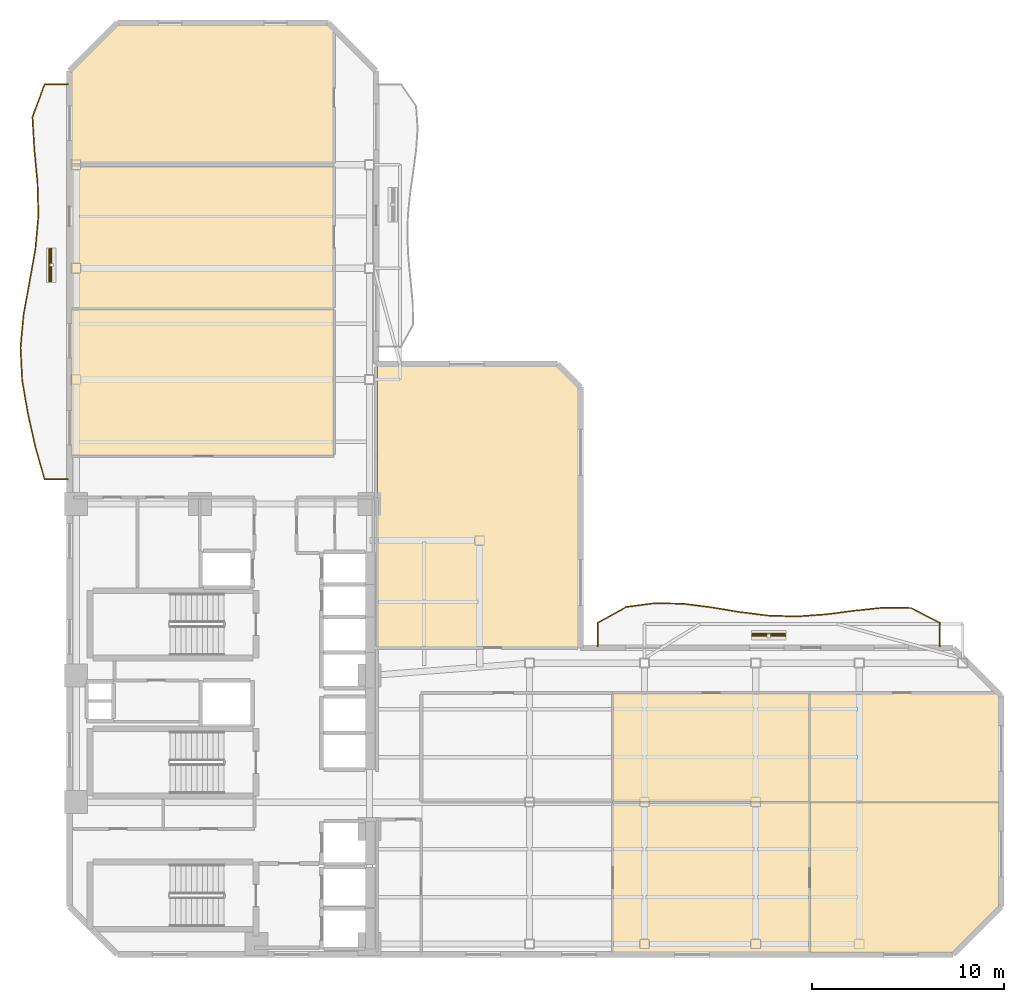
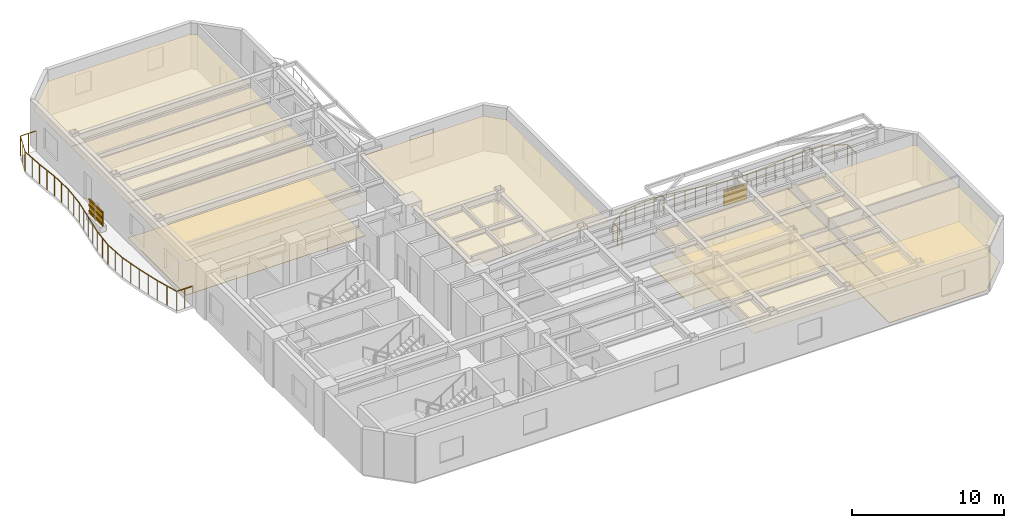
# One storey, part 8 of 9: 11 coverings, 8 shading devices, 2 railings.
"""IFC4 building model written with IfcOpenShell, lengths in metres."""

import ifcopenshell
import ifcopenshell.guid

model = None  # the IFC model being written
_history = None  # IfcOwnerHistory: only IFC2X3 demands one
_inside = {}  # id of a spatial element -> (the spatial element, [elements in it])
_under = {}  # id of a project, library or spatial element -> (it, [spatial elements below it])
_declared = {}  # id of a project -> (the project, [libraries it declares])
_typed = {}  # id of a type object -> (the type object, [elements of that type])
_made_of = {}  # id of a material, layer set ... -> (it, [elements and type objects made of it])


def new_model(schema):
    """Start an empty IFC model of exactly this schema.

    Asked for "IFC4X3", IfcOpenShell would pick the latest addendum, in which some entities
    have other attributes; the version numbers below select the first issue.
    IFC2X3 requires an IfcOwnerHistory on every rooted entity: one is made here for all.
    """
    global model, _history
    if schema == "IFC4X3":
        model = ifcopenshell.file(schema_version=(4, 3, 0, 0))
    else:
        model = ifcopenshell.file(schema=schema)
    _inside.clear()
    _under.clear()
    _declared.clear()
    _typed.clear()
    _made_of.clear()
    _history = None
    if model.schema == "IFC2X3":
        org = make("IfcOrganization", Name="unknown")
        user = make(
            "IfcPersonAndOrganization",
            ThePerson=make("IfcPerson", FamilyName="unknown"),
            TheOrganization=org,
        )
        app = make(
            "IfcApplication",
            ApplicationDeveloper=org,
            Version="unknown",
            ApplicationFullName="unknown",
            ApplicationIdentifier="unknown",
        )
        _history = make(
            "IfcOwnerHistory",
            OwningUser=user,
            OwningApplication=app,
            ChangeAction="ADDED",
            CreationDate=0,
        )
    return model


def make(cls, **values):
    """One entity of the class cls with the attributes given. An attribute that is None is left unset."""
    return model.create_entity(
        cls, **{name: value for name, value in values.items() if value is not None}
    )


def rooted(cls, **values):
    """An entity with a GlobalId (a new one), such as an element, a storey or a relation."""
    return make(cls, GlobalId=ifcopenshell.guid.new(), OwnerHistory=_history, **values)


def si_unit(unit_type, name, prefix=None):
    """IfcSIUnit, for example si_unit("LENGTHUNIT", "METRE", prefix="MILLI")."""
    return make("IfcSIUnit", UnitType=unit_type, Prefix=prefix, Name=name)


def assignment(units):
    """IfcUnitAssignment: the units of a project."""
    return None if units is None else make("IfcUnitAssignment", Units=units)


def point(xyz):
    """IfcCartesianPoint."""
    return None if xyz is None else make("IfcCartesianPoint", Coordinates=xyz)


def direction(xyz):
    """IfcDirection."""
    return None if xyz is None else make("IfcDirection", DirectionRatios=xyz)


def frame(location, z_axis=None, x_axis=None):
    """IfcAxis2Placement3D, a coordinate frame: its origin and axes. An axis left out is left unset."""
    return make(
        "IfcAxis2Placement3D",
        Location=point(location),
        Axis=direction(z_axis),
        RefDirection=direction(x_axis),
    )


def frame_2d(location, x_axis=None):
    """IfcAxis2Placement2D, a coordinate frame in the plane: its origin and x axis."""
    return make(
        "IfcAxis2Placement2D", Location=point(location), RefDirection=direction(x_axis)
    )


def origin():
    """The frame at (0, 0, 0) with its axes left unset."""
    return frame((0.0, 0.0, 0.0))


def origin_2d():
    """The frame at (0, 0) in the plane with its x axis left unset."""
    return frame_2d((0.0, 0.0))


def place(relative_to, where):
    """IfcLocalPlacement: puts the frame where relative to a parent placement (None: the world)."""
    return make(
        "IfcLocalPlacement", PlacementRelTo=relative_to, RelativePlacement=where
    )


def context(
    kind, dimensions, precision=None, world=None, true_north=None, identifier=None
):
    """IfcGeometricRepresentationContext, for example the 3D "Model" context."""
    return make(
        "IfcGeometricRepresentationContext",
        ContextIdentifier=identifier,
        ContextType=kind,
        CoordinateSpaceDimension=dimensions,
        Precision=precision,
        WorldCoordinateSystem=world,
        TrueNorth=true_north,
    )


def subcontext(parent, identifier, kind, view, scale=None):
    """IfcGeometricRepresentationSubContext, for example "Body" below "Model"."""
    return make(
        "IfcGeometricRepresentationSubContext",
        ContextIdentifier=identifier,
        ContextType=kind,
        ParentContext=parent,
        TargetScale=scale,
        TargetView=view,
    )


def project(units=None, contexts=None):
    """IfcProject with its units and contexts."""
    return rooted(
        "IfcProject",
        Name="project",
        RepresentationContexts=contexts,
        UnitsInContext=assignment(units),
    )


def spatial(cls, under=None, at=None, **own):
    """A site, building, storey or space (cls), placed at a placement, below another one or the project."""
    s = rooted(cls, ObjectPlacement=at, **own)
    if under is not None:
        _under.setdefault(under.id(), (under, []))[1].append(s)
    return s


def polyline(points):
    """IfcPolyline through the points."""
    return make("IfcPolyline", Points=[point(p) for p in points])


def profile(cls, at=None, kind="AREA", **sizes):
    """A parametric profile (cls). Its sizes go by their IFC names, for example OverallWidth=200.0."""
    return make(cls, ProfileType=kind, Position=at, **sizes)


def rectangle(**sizes):
    """IfcRectangleProfileDef."""
    return profile("IfcRectangleProfileDef", **sizes)


def outline(outer, holes=None, kind="AREA"):
    """IfcArbitraryClosedProfileDef: a profile drawn as a closed curve; with holes, ...WithVoids."""
    if holes is None:
        return make("IfcArbitraryClosedProfileDef", ProfileType=kind, OuterCurve=outer)
    return make(
        "IfcArbitraryProfileDefWithVoids",
        ProfileType=kind,
        OuterCurve=outer,
        InnerCurves=holes,
    )


def extrude(swept, where, along, depth):
    """IfcExtrudedAreaSolid: the profile swept, set in the frame where, extruded along a direction by depth."""
    return make(
        "IfcExtrudedAreaSolid",
        SweptArea=swept,
        Position=where,
        ExtrudedDirection=direction(along),
        Depth=depth,
    )


def shape(context_of_items, identifier, shape_type, items):
    """IfcShapeRepresentation: the items that make up one representation, for example the "Body"."""
    return make(
        "IfcShapeRepresentation",
        ContextOfItems=context_of_items,
        RepresentationIdentifier=identifier,
        RepresentationType=shape_type,
        Items=items,
    )


def material(Name=None, Category=None):
    """IfcMaterial."""
    return make("IfcMaterial", Name=Name, Category=Category)


def layer(
    of_material, thickness, ventilated=None, Name=None, Category=None, Priority=None
):
    """IfcMaterialLayer: one layer of a wall or slab, of a material (None: an air gap)."""
    return make(
        "IfcMaterialLayer",
        Material=of_material,
        LayerThickness=thickness,
        IsVentilated=ventilated,
        Name=Name,
        Category=Category,
        Priority=Priority,
    )


def layer_set(layers, Name=None):
    """IfcMaterialLayerSet."""
    return make("IfcMaterialLayerSet", MaterialLayers=layers, LayerSetName=Name)


def material_profile(
    of_material, cross_section, Name=None, Category=None, Priority=None
):
    """IfcMaterialProfile: a cross section and its material."""
    return make(
        "IfcMaterialProfile",
        Name=Name,
        Material=of_material,
        Profile=cross_section,
        Priority=Priority,
        Category=Category,
    )


def profile_set(profiles, Name=None, composite=None):
    """IfcMaterialProfileSet."""
    return make(
        "IfcMaterialProfileSet",
        Name=Name,
        MaterialProfiles=profiles,
        CompositeProfile=composite,
    )


def made_of(thing, what):
    """Note that an element or type object is made of a material, layer set ...; save() writes the relation."""
    if what is not None:
        _made_of.setdefault(what.id(), (what, []))[1].append(thing)
    return thing


def type_object(cls, material=None, **own):
    """A type object (cls), such as IfcWallType, which elements share."""
    return made_of(rooted(cls, **own), material)


def element(
    cls,
    number,
    at=None,
    inside=None,
    cuts=None,
    type_object=None,
    material=None,
    context=None,
    identifier="Body",
    shape_type=None,
    held_by="IfcProductDefinitionShape",
    body=None,
    shapes=None,
    **own,
):
    """One element of the class cls, such as IfcWall. Its Tag is "e" and its number.

    at: its placement. inside: the storey or other place that contains it. cuts: it is an
    opening in that element (IfcRelVoidsElement). A single representation is given by context,
    identifier, shape_type and body (its items); several are given by shapes. held_by: the class
    of the entity that holds the representations. save() writes the other relations.
    """
    e = rooted(cls, Tag="e%d" % number, ObjectPlacement=at, **own)
    if body is not None:
        shapes = [shape(context, identifier, shape_type, body)]
    if shapes is not None:
        e.Representation = make(held_by, Representations=shapes)
    if inside is not None:
        _inside.setdefault(inside.id(), (inside, []))[1].append(e)
    if cuts is not None:
        rooted(
            "IfcRelVoidsElement", RelatingBuildingElement=cuts, RelatedOpeningElement=e
        )
    if type_object is not None:
        _typed.setdefault(type_object.id(), (type_object, []))[1].append(e)
    return made_of(e, material)


def aggregate(whole, parts):
    """IfcRelAggregates: a whole, such as a stair, and the parts it consists of."""
    return rooted("IfcRelAggregates", RelatingObject=whole, RelatedObjects=parts)


def save(model, path):
    """Write the relations noted so far, then the file.

    IfcRelAggregates (storeys below a building ...), IfcRelContainedInSpatialStructure (elements
    in a storey), IfcRelDefinesByType, IfcRelAssociatesMaterial and IfcRelDeclares: one each for
    every whole, place, type object, material and project.
    """
    for whole, parts in _under.values():
        aggregate(whole, parts)
    for where, things in _inside.values():
        rooted(
            "IfcRelContainedInSpatialStructure",
            RelatedElements=things,
            RelatingStructure=where,
        )
    for kind, things in _typed.values():
        rooted("IfcRelDefinesByType", RelatedObjects=things, RelatingType=kind)
    for what, things in _made_of.values():
        rooted("IfcRelAssociatesMaterial", RelatedObjects=things, RelatingMaterial=what)
    for by, libraries in _declared.values():
        rooted("IfcRelDeclares", RelatingContext=by, RelatedDefinitions=libraries)
    model.write(path)


model = new_model("IFC4")

# Units and contexts
model_context = context("Model", 3, precision=1e-05, world=origin(), true_north=direction((0.0, 1.0)))
body_context = subcontext(model_context, "Body", "Model", "MODEL_VIEW")
ifc_project = project(units=[si_unit("LENGTHUNIT", "METRE"), si_unit("AREAUNIT", "SQUARE_METRE"), si_unit("VOLUMEUNIT", "CUBIC_METRE"), si_unit("PLANEANGLEUNIT", "RADIAN"), si_unit("MASSUNIT", "GRAM", prefix="KILO")], contexts=[model_context])

# Site, building, storey
site_placement = place(None, origin())
site = spatial("IfcSite", under=ifc_project, at=site_placement, CompositionType="ELEMENT")
building_placement = place(site_placement, origin())
building = spatial("IfcBuilding", under=site, at=building_placement, Name="Mawjaban Terraces University", CompositionType="ELEMENT")
storey_placement = place(building_placement, frame((0.0, 0.0, 111.199951171875)))
storey = spatial("IfcBuildingStorey", under=building, at=storey_placement, Name="L26", CompositionType="ELEMENT", Elevation=111.199951171875)

# Coverings
ifc_material_1 = material(Name="Acoustic mineral fibre ceiling tile", Category="masonry")
ifc_layer_1 = layer(ifc_material_1, 0.02001953125)
ifc_layer_set_1 = layer_set([ifc_layer_1], Name="Acoustic mineral fibre ceiling tile")
covering_type_1 = type_object("IfcCoveringType", Name="AcousticMineralCeiling_20", PredefinedType="CEILING", material=ifc_layer_set_1)
covering_1_placement = place(storey_placement, frame((0.0, 0.0, 2.75)))
element("IfcCovering", 1, at=covering_1_placement, inside=storey, type_object=covering_type_1, Name="L26 Teaching Laboratory 4 Acoustic Ceiling", PredefinedType="CEILING", context=body_context, shape_type="SweptSolid", body=[
    extrude(outline(polyline([(50.362060546875, 0.114990234375), (60.5869140625, 0.114990234375), (60.5869140625, 7.919921875), (50.362060546875, 7.919921875), (50.362060546875, 0.114990234375)])), origin(), (0.0, 0.0, 1.0), 0.02001953125),
])
covering_2_placement = place(storey_placement, frame((0.0, 0.0, 2.75)))
element("IfcCovering", 2, at=covering_2_placement, inside=storey, type_object=covering_type_1, Name="L26 Seminar Room 5 Acoustic Ceiling", PredefinedType="CEILING", context=body_context, shape_type="SweptSolid", body=[
    extrude(outline(polyline([(60.5869140625, 7.97998046875), (60.5869140625, 13.6201171875), (50.362060546875, 13.6201171875), (50.362060546875, 7.97998046875), (60.5869140625, 7.97998046875)])), origin(), (0.0, 0.0, 1.0), 0.02001953125),
])
covering_3_placement = place(storey_placement, frame((0.0, 0.0, 2.75)))
element("IfcCovering", 3, at=covering_3_placement, inside=storey, type_object=covering_type_1, Name="L26 Classroom 6 Acoustic Ceiling", PredefinedType="CEILING", context=body_context, shape_type="SweptSolid", body=[
    extrude(outline(polyline([(60.64697265625, 0.114990234375), (68.052978515625, 0.114990234375), (70.485107421875, 2.547119140625), (70.485107421875, 7.919921875), (60.64697265625, 7.919921875), (60.64697265625, 0.114990234375)])), origin(), (0.0, 0.0, 1.0), 0.02001953125),
])
covering_4_placement = place(storey_placement, frame((0.0, 0.0, 2.75)))
element("IfcCovering", 4, at=covering_4_placement, inside=storey, type_object=covering_type_1, Name="L26 Faculty Office 7 Acoustic Ceiling", PredefinedType="CEILING", context=body_context, shape_type="SweptSolid", body=[
    extrude(outline(polyline([(70.485107421875, 7.97998046875), (70.485107421875, 13.452880859375), (70.318115234375, 13.6201171875), (60.64697265625, 13.6201171875), (60.64697265625, 7.97998046875), (70.485107421875, 7.97998046875)])), origin(), (0.0, 0.0, 1.0), 0.02001953125),
])
covering_5_placement = place(storey_placement, frame((0.0, 0.0, 2.75)))
element("IfcCovering", 5, at=covering_5_placement, inside=storey, type_object=covering_type_1, Name="L26 Classroom 8 Acoustic Ceiling", PredefinedType="CEILING", context=body_context, shape_type="SweptSolid", body=[
    extrude(outline(polyline([(22.114990234375, 33.654052734375), (22.114990234375, 26.030029296875), (35.77001953125, 26.030029296875), (35.77001953125, 33.654052734375), (22.114990234375, 33.654052734375)])), origin(), (0.0, 0.0, 1.0), 0.02001953125),
])
covering_6_placement = place(storey_placement, frame((0.0, 0.0, 2.75)))
element("IfcCovering", 6, at=covering_6_placement, inside=storey, type_object=covering_type_1, Name="L26 Computational Laboratory 9 Acoustic Ceiling", PredefinedType="CEILING", context=body_context, shape_type="SweptSolid", body=[
    extrude(outline(polyline([(22.114990234375, 41.169921875), (22.114990234375, 33.714111328125), (35.77001953125, 33.714111328125), (35.77001953125, 41.169921875), (22.114990234375, 41.169921875)])), origin(), (0.0, 0.0, 1.0), 0.02001953125),
])
covering_7_placement = place(storey_placement, frame((0.0, 0.0, 2.75)))
element("IfcCovering", 7, at=covering_7_placement, inside=storey, type_object=covering_type_1, Name="L26 Design Studio 10 Acoustic Ceiling", PredefinedType="CEILING", context=body_context, shape_type="SweptSolid", body=[
    extrude(outline(polyline([(35.77001953125, 48.16796875), (35.452880859375, 48.485107421875), (24.547119140625, 48.485107421875), (22.114990234375, 46.052978515625), (22.114990234375, 41.22998046875), (35.77001953125, 41.22998046875), (35.77001953125, 48.16796875)])), origin(), (0.0, 0.0, 1.0), 0.02001953125),
])
covering_8_placement = place(storey_placement, frame((0.0, 0.0, 2.75)))
element("IfcCovering", 8, at=covering_8_placement, inside=storey, type_object=covering_type_1, Name="L26 Terrace Collaborative Study Room Acoustic Ceiling", PredefinedType="CEILING", context=body_context, shape_type="SweptSolid", body=[
    extrude(outline(polyline([(48.541015625, 16.030029296875), (48.541015625, 29.552978515625), (47.408935546875, 30.68505859375), (38.080078125, 30.68505859375), (38.080078125, 16.030029296875), (48.541015625, 16.030029296875)])), origin(), (0.0, 0.0, 1.0), 0.02001953125),
])

# Railings
ifc_material_2 = material(Name="Galvanised powder-coated steel S355", Category="steel")
railing_type = type_object("IfcRailingType", Name="BalconyBalustrade_1600", PredefinedType="BALUSTRADE", material=ifc_material_2)
railing_1_placement = place(storey_placement, frame((21.919921875, 24.800048828125, 0.0)))
element("IfcRailing", 9, at=railing_1_placement, inside=storey, type_object=railing_type, Name="L26 Balcony Guardrail west", PredefinedType="BALUSTRADE", context=body_context, shape_type="SweptSolid", body=[
    extrude(rectangle(XDim=0.048095703125, YDim=0.048095703125, at=origin_2d()), frame((0.0, 0.0, 1.576171875), z_axis=(-1.0, 0.0, 0.0), x_axis=(0.0, -1.0, 0.0)), (0.0, 0.0, 1.0), 1.219970703125),
    extrude(rectangle(XDim=0.048095703125, YDim=0.048095703125, at=origin_2d()), frame((-1.219970703125, 0.0, 1.576171875), z_axis=(-0.274919735508, 0.961467180422, 0.0), x_axis=(-0.961467180422, -0.274919735508, 0.0)), (0.0, 0.0, 1.0), 1.785888671875),
    extrude(rectangle(XDim=0.048095703125, YDim=0.048095703125, at=origin_2d()), frame((-1.7109375, 1.717041015625, 1.576171875), z_axis=(-0.217886102131, 0.975974203808, 0.0), x_axis=(-0.975974203808, -0.217886102131, 0.0)), (0.0, 0.0, 1.0), 1.758056640625),
    extrude(rectangle(XDim=0.048095703125, YDim=0.048095703125, at=origin_2d()), frame((-2.093994140625, 3.432861328125, 1.576171875), z_axis=(-0.170371389798, 0.98537992142, 0.0), x_axis=(-0.98537992142, -0.170371389798, 0.0)), (0.0, 0.0, 1.0), 1.742431640625),
    extrude(rectangle(XDim=0.048095703125, YDim=0.048095703125, at=origin_2d()), frame((-2.390869140625, 5.14990234375, 1.576171875), z_axis=(-0.049420555113, 0.998778057795, 0.0), x_axis=(-0.998778057795, -0.049420555113, 0.0)), (0.0, 0.0, 1.0), 1.71923828125),
    extrude(rectangle(XDim=0.048095703125, YDim=0.048095703125, at=origin_2d()), frame((-2.475830078125, 6.866943359375, 1.576171875), z_axis=(0.091659749456, 0.995790384735, 0.0), x_axis=(-0.995790384735, 0.091659749456, 0.0)), (0.0, 0.0, 1.0), 1.723388671875),
    extrude(rectangle(XDim=0.048095703125, YDim=0.048095703125, at=origin_2d()), frame((-2.31787109375, 8.5830078125, 1.576171875), z_axis=(0.179870018073, 0.983690386554, 0.0), x_axis=(-0.983690386554, 0.179870018073, 0.0)), (0.0, 0.0, 1.0), 1.74560546875),
    extrude(rectangle(XDim=0.048095703125, YDim=0.048095703125, at=origin_2d()), frame((-2.00390625, 10.300048828125, 1.576171875), z_axis=(0.175422364113, 0.984493267711, 0.0), x_axis=(-0.984493267711, 0.175422364113, 0.0)), (0.0, 0.0, 1.0), 1.743896484375),
    extrude(rectangle(XDim=0.048095703125, YDim=0.048095703125, at=origin_2d()), frame((-1.697998046875, 12.016845703125, 1.576171875), z_axis=(0.089411396543, 0.995994780191, 0.0), x_axis=(-0.995994780191, 0.089411396543, 0.0)), (0.0, 0.0, 1.0), 1.722900390625),
    extrude(rectangle(XDim=0.048095703125, YDim=0.048095703125, at=origin_2d()), frame((-1.5439453125, 13.73291015625, 1.576171875), z_axis=(-0.02672157941, 0.999642914842, 0.0), x_axis=(-0.999642914842, -0.02672157941, 0.0)), (0.0, 0.0, 1.0), 1.7177734375),
    extrude(rectangle(XDim=0.048095703125, YDim=0.048095703125, at=origin_2d()), frame((-1.58984375, 15.449951171875, 1.576171875), z_axis=(-0.095116345971, 0.995466162523, 0.0), x_axis=(-0.995466162523, -0.095116345971, 0.0)), (0.0, 0.0, 1.0), 1.724853515625),
    extrude(rectangle(XDim=0.048095703125, YDim=0.048095703125, at=origin_2d()), frame((-1.75390625, 17.1669921875, 1.576171875), z_axis=(-0.057664592582, 0.998336012955, 0.0), x_axis=(-0.998336012955, -0.057664592582, 0.0)), (0.0, 0.0, 1.0), 1.718994140625),
    extrude(rectangle(XDim=0.048095703125, YDim=0.048095703125, at=origin_2d()), frame((-1.85302734375, 18.883056640625, 1.576171875), z_axis=(0.345971218819, 0.93824512562, 0.0), x_axis=(-0.93824512562, 0.345971218819, 0.0)), (0.0, 0.0, 1.0), 1.829833984375),
    extrude(rectangle(XDim=0.048095703125, YDim=0.048095703125, at=origin_2d()), frame((-1.219970703125, 20.599853515625, 1.576171875), z_axis=(1.0, 0.0, 0.0), x_axis=(0.0, 1.0, 0.0)), (0.0, 0.0, 1.0), 1.219970703125),
    extrude(rectangle(XDim=0.0419921875, YDim=0.0419921875, at=origin_2d()), origin(), (0.0, 0.0, 1.0), 1.552001953125),
    extrude(rectangle(XDim=0.0419921875, YDim=0.0419921875, at=origin_2d()), frame((-0.60986328125, 0.0, 0.0)), (0.0, 0.0, 1.0), 1.552001953125),
    extrude(rectangle(XDim=0.0419921875, YDim=0.0419921875, at=origin_2d()), frame((-1.219970703125, 0.0, 0.0)), (0.0, 0.0, 1.0), 1.552001953125),
    extrude(rectangle(XDim=0.0419921875, YDim=0.0419921875, at=origin_2d()), frame((-1.46533203125, 0.8583984375, 0.0)), (0.0, 0.0, 1.0), 1.552001953125),
    extrude(rectangle(XDim=0.0419921875, YDim=0.0419921875, at=origin_2d()), frame((-1.7109375, 1.717041015625, 0.0)), (0.0, 0.0, 1.0), 1.552001953125),
    extrude(rectangle(XDim=0.0419921875, YDim=0.0419921875, at=origin_2d()), frame((-1.90234375, 2.574951171875, 0.0)), (0.0, 0.0, 1.0), 1.552001953125),
    extrude(rectangle(XDim=0.0419921875, YDim=0.0419921875, at=origin_2d()), frame((-2.093994140625, 3.432861328125, 0.0)), (0.0, 0.0, 1.0), 1.552001953125),
    extrude(rectangle(XDim=0.0419921875, YDim=0.0419921875, at=origin_2d()), frame((-2.242431640625, 4.29150390625, 0.0)), (0.0, 0.0, 1.0), 1.552001953125),
    extrude(rectangle(XDim=0.0419921875, YDim=0.0419921875, at=origin_2d()), frame((-2.390869140625, 5.14990234375, 0.0)), (0.0, 0.0, 1.0), 1.552001953125),
    extrude(rectangle(XDim=0.0419921875, YDim=0.0419921875, at=origin_2d()), frame((-2.433349609375, 6.00830078125, 0.0)), (0.0, 0.0, 1.0), 1.552001953125),
    extrude(rectangle(XDim=0.0419921875, YDim=0.0419921875, at=origin_2d()), frame((-2.475830078125, 6.866943359375, 0.0)), (0.0, 0.0, 1.0), 1.552001953125),
    extrude(rectangle(XDim=0.0419921875, YDim=0.0419921875, at=origin_2d()), frame((-2.39697265625, 7.72509765625, 0.0)), (0.0, 0.0, 1.0), 1.552001953125),
    extrude(rectangle(XDim=0.0419921875, YDim=0.0419921875, at=origin_2d()), frame((-2.31787109375, 8.5830078125, 0.0)), (0.0, 0.0, 1.0), 1.552001953125),
    extrude(rectangle(XDim=0.0419921875, YDim=0.0419921875, at=origin_2d()), frame((-2.160888671875, 9.44140625, 0.0)), (0.0, 0.0, 1.0), 1.552001953125),
    extrude(rectangle(XDim=0.0419921875, YDim=0.0419921875, at=origin_2d()), frame((-2.00390625, 10.300048828125, 0.0)), (0.0, 0.0, 1.0), 1.552001953125),
    extrude(rectangle(XDim=0.0419921875, YDim=0.0419921875, at=origin_2d()), frame((-1.85107421875, 11.158447265625, 0.0)), (0.0, 0.0, 1.0), 1.552001953125),
    extrude(rectangle(XDim=0.0419921875, YDim=0.0419921875, at=origin_2d()), frame((-1.697998046875, 12.016845703125, 0.0)), (0.0, 0.0, 1.0), 1.552001953125),
    extrude(rectangle(XDim=0.0419921875, YDim=0.0419921875, at=origin_2d()), frame((-1.62109375, 12.875, 0.0)), (0.0, 0.0, 1.0), 1.552001953125),
    extrude(rectangle(XDim=0.0419921875, YDim=0.0419921875, at=origin_2d()), frame((-1.5439453125, 13.73291015625, 0.0)), (0.0, 0.0, 1.0), 1.552001953125),
    extrude(rectangle(XDim=0.0419921875, YDim=0.0419921875, at=origin_2d()), frame((-1.56689453125, 14.59130859375, 0.0)), (0.0, 0.0, 1.0), 1.552001953125),
    extrude(rectangle(XDim=0.0419921875, YDim=0.0419921875, at=origin_2d()), frame((-1.58984375, 15.449951171875, 0.0)), (0.0, 0.0, 1.0), 1.552001953125),
    extrude(rectangle(XDim=0.0419921875, YDim=0.0419921875, at=origin_2d()), frame((-1.671875, 16.30859375, 0.0)), (0.0, 0.0, 1.0), 1.552001953125),
    extrude(rectangle(XDim=0.0419921875, YDim=0.0419921875, at=origin_2d()), frame((-1.75390625, 17.1669921875, 0.0)), (0.0, 0.0, 1.0), 1.552001953125),
    extrude(rectangle(XDim=0.0419921875, YDim=0.0419921875, at=origin_2d()), frame((-1.803466796875, 18.02490234375, 0.0)), (0.0, 0.0, 1.0), 1.552001953125),
    extrude(rectangle(XDim=0.0419921875, YDim=0.0419921875, at=origin_2d()), frame((-1.85302734375, 18.883056640625, 0.0)), (0.0, 0.0, 1.0), 1.552001953125),
    extrude(rectangle(XDim=0.0419921875, YDim=0.0419921875, at=origin_2d()), frame((-1.53662109375, 19.741455078125, 0.0)), (0.0, 0.0, 1.0), 1.552001953125),
    extrude(rectangle(XDim=0.0419921875, YDim=0.0419921875, at=origin_2d()), frame((-1.219970703125, 20.599853515625, 0.0)), (0.0, 0.0, 1.0), 1.552001953125),
    extrude(rectangle(XDim=0.0419921875, YDim=0.0419921875, at=origin_2d()), frame((-0.60986328125, 20.599853515625, 0.0)), (0.0, 0.0, 1.0), 1.552001953125),
    extrude(rectangle(XDim=0.0419921875, YDim=0.0419921875, at=origin_2d()), frame((0.0, 20.599853515625, 0.0)), (0.0, 0.0, 1.0), 1.552001953125),
])
railing_2_placement = place(storey_placement, frame((49.555908203125, 16.080078125, 0.0)))
element("IfcRailing", 10, at=railing_2_placement, inside=storey, type_object=railing_type, Name="L26 Balcony Guardrail inner_north", PredefinedType="BALUSTRADE", context=body_context, shape_type="SweptSolid", body=[
    extrude(rectangle(XDim=0.048095703125, YDim=0.048095703125, at=origin_2d()), frame((0.0, 0.0, 1.576171875), z_axis=(0.0, 1.0, 0.0), x_axis=(-1.0, 0.0, 0.0)), (0.0, 0.0, 1.0), 1.219970703125),
    extrude(rectangle(XDim=0.048095703125, YDim=0.048095703125, at=origin_2d()), frame((0.0, 1.219970703125, 1.576171875), z_axis=(0.871953765869, 0.489588225131, 0.0), x_axis=(-0.489588225131, 0.871953765869, 0.0)), (0.0, 0.0, 1.0), 1.705322265625),
    extrude(rectangle(XDim=0.048095703125, YDim=0.048095703125, at=origin_2d()), frame((1.487060546875, 2.054931640625, 1.576171875), z_axis=(0.991505745551, 0.130062894549, 0.0), x_axis=(-0.130062894549, 0.991505745551, 0.0)), (0.0, 0.0, 1.0), 1.499755859375),
    extrude(rectangle(XDim=0.048095703125, YDim=0.048095703125, at=origin_2d()), frame((2.97412109375, 2.25, 1.576171875), z_axis=(0.999821814485, -0.01887695102, 0.0), x_axis=(0.01887695102, 0.999821814485, 0.0)), (0.0, 0.0, 1.0), 1.4873046875),
    extrude(rectangle(XDim=0.048095703125, YDim=0.048095703125, at=origin_2d()), frame((4.461181640625, 2.221923828125, 1.576171875), z_axis=(0.991938457485, -0.126720545143, 0.0), x_axis=(0.126720545143, 0.991938457485, 0.0)), (0.0, 0.0, 1.0), 1.498779296875),
    extrude(rectangle(XDim=0.048095703125, YDim=0.048095703125, at=origin_2d()), frame((5.947998046875, 2.031982421875, 1.576171875), z_axis=(0.986581516869, -0.163269441636, 0.0), x_axis=(0.163269441636, 0.986581516869, 0.0)), (0.0, 0.0, 1.0), 1.50732421875),
    extrude(rectangle(XDim=0.048095703125, YDim=0.048095703125, at=origin_2d()), frame((7.43505859375, 1.785888671875, 1.576171875), z_axis=(0.992425064406, -0.12285150198, 0.0), x_axis=(0.12285150198, 0.992425064406, 0.0)), (0.0, 0.0, 1.0), 1.498291015625),
    extrude(rectangle(XDim=0.048095703125, YDim=0.048095703125, at=origin_2d()), frame((8.922119140625, 1.601806640625, 1.576171875), z_axis=(0.999601535108, -0.028227132497, 0.0), x_axis=(0.028227132497, 0.999601535108, 0.0)), (0.0, 0.0, 1.0), 1.487548828125),
    extrude(rectangle(XDim=0.048095703125, YDim=0.048095703125, at=origin_2d()), frame((10.4091796875, 1.559814453125, 1.576171875), z_axis=(0.997364739763, 0.0725505057, 0.0), x_axis=(-0.0725505057, 0.997364739763, 0.0)), (0.0, 0.0, 1.0), 1.49072265625),
    extrude(rectangle(XDim=0.048095703125, YDim=0.048095703125, at=origin_2d()), frame((11.89599609375, 1.66796875, 1.576171875), z_axis=(0.991776533302, 0.127981670526, 0.0), x_axis=(-0.127981670526, 0.991776533302, 0.0)), (0.0, 0.0, 1.0), 1.49951171875),
    extrude(rectangle(XDim=0.048095703125, YDim=0.048095703125, at=origin_2d()), frame((13.383056640625, 1.85986328125, 1.576171875), z_axis=(0.994609641287, 0.103690218719, 0.0), x_axis=(-0.103690218719, 0.994609641287, 0.0)), (0.0, 0.0, 1.0), 1.4951171875),
    extrude(rectangle(XDim=0.048095703125, YDim=0.048095703125, at=origin_2d()), frame((14.8701171875, 2.014892578125, 1.576171875), z_axis=(0.999933969305, -0.011491606937, 0.0), x_axis=(0.011491606937, 0.999933969305, 0.0)), (0.0, 0.0, 1.0), 1.487060546875),
    extrude(rectangle(XDim=0.048095703125, YDim=0.048095703125, at=origin_2d()), frame((16.357177734375, 1.997802734375, 1.576171875), z_axis=(0.886070631623, -0.463550251618, 0.0), x_axis=(0.463550251618, 0.886070631623, 0.0)), (0.0, 0.0, 1.0), 1.677978515625),
    extrude(rectangle(XDim=0.048095703125, YDim=0.048095703125, at=origin_2d()), frame((17.843994140625, 1.219970703125, 1.576171875), z_axis=(0.0, -1.0, 0.0), x_axis=(1.0, 0.0, 0.0)), (0.0, 0.0, 1.0), 1.219970703125),
    extrude(rectangle(XDim=0.0419921875, YDim=0.0419921875, at=origin_2d()), origin(), (0.0, 0.0, 1.0), 1.552001953125),
    extrude(rectangle(XDim=0.0419921875, YDim=0.0419921875, at=origin_2d()), frame((0.0, 0.60986328125, 0.0)), (0.0, 0.0, 1.0), 1.552001953125),
    extrude(rectangle(XDim=0.0419921875, YDim=0.0419921875, at=origin_2d()), frame((0.0, 1.219970703125, 0.0)), (0.0, 0.0, 1.0), 1.552001953125),
    extrude(rectangle(XDim=0.0419921875, YDim=0.0419921875, at=origin_2d()), frame((0.74365234375, 1.637451171875, 0.0)), (0.0, 0.0, 1.0), 1.552001953125),
    extrude(rectangle(XDim=0.0419921875, YDim=0.0419921875, at=origin_2d()), frame((1.487060546875, 2.054931640625, 0.0)), (0.0, 0.0, 1.0), 1.552001953125),
    extrude(rectangle(XDim=0.0419921875, YDim=0.0419921875, at=origin_2d()), frame((2.23046875, 2.15234375, 0.0)), (0.0, 0.0, 1.0), 1.552001953125),
    extrude(rectangle(XDim=0.0419921875, YDim=0.0419921875, at=origin_2d()), frame((2.97412109375, 2.25, 0.0)), (0.0, 0.0, 1.0), 1.552001953125),
    extrude(rectangle(XDim=0.0419921875, YDim=0.0419921875, at=origin_2d()), frame((3.7177734375, 2.23583984375, 0.0)), (0.0, 0.0, 1.0), 1.552001953125),
    extrude(rectangle(XDim=0.0419921875, YDim=0.0419921875, at=origin_2d()), frame((4.461181640625, 2.221923828125, 0.0)), (0.0, 0.0, 1.0), 1.552001953125),
    extrude(rectangle(XDim=0.0419921875, YDim=0.0419921875, at=origin_2d()), frame((5.20458984375, 2.126953125, 0.0)), (0.0, 0.0, 1.0), 1.552001953125),
    extrude(rectangle(XDim=0.0419921875, YDim=0.0419921875, at=origin_2d()), frame((5.947998046875, 2.031982421875, 0.0)), (0.0, 0.0, 1.0), 1.552001953125),
    extrude(rectangle(XDim=0.0419921875, YDim=0.0419921875, at=origin_2d()), frame((6.69140625, 1.908935546875, 0.0)), (0.0, 0.0, 1.0), 1.552001953125),
    extrude(rectangle(XDim=0.0419921875, YDim=0.0419921875, at=origin_2d()), frame((7.43505859375, 1.785888671875, 0.0)), (0.0, 0.0, 1.0), 1.552001953125),
    extrude(rectangle(XDim=0.0419921875, YDim=0.0419921875, at=origin_2d()), frame((8.1787109375, 1.69384765625, 0.0)), (0.0, 0.0, 1.0), 1.552001953125),
    extrude(rectangle(XDim=0.0419921875, YDim=0.0419921875, at=origin_2d()), frame((8.922119140625, 1.601806640625, 0.0)), (0.0, 0.0, 1.0), 1.552001953125),
    extrude(rectangle(XDim=0.0419921875, YDim=0.0419921875, at=origin_2d()), frame((9.66552734375, 1.580810546875, 0.0)), (0.0, 0.0, 1.0), 1.552001953125),
    extrude(rectangle(XDim=0.0419921875, YDim=0.0419921875, at=origin_2d()), frame((10.4091796875, 1.559814453125, 0.0)), (0.0, 0.0, 1.0), 1.552001953125),
    extrude(rectangle(XDim=0.0419921875, YDim=0.0419921875, at=origin_2d()), frame((11.152587890625, 1.61376953125, 0.0)), (0.0, 0.0, 1.0), 1.552001953125),
    extrude(rectangle(XDim=0.0419921875, YDim=0.0419921875, at=origin_2d()), frame((11.89599609375, 1.66796875, 0.0)), (0.0, 0.0, 1.0), 1.552001953125),
    extrude(rectangle(XDim=0.0419921875, YDim=0.0419921875, at=origin_2d()), frame((12.6396484375, 1.763916015625, 0.0)), (0.0, 0.0, 1.0), 1.552001953125),
    extrude(rectangle(XDim=0.0419921875, YDim=0.0419921875, at=origin_2d()), frame((13.383056640625, 1.85986328125, 0.0)), (0.0, 0.0, 1.0), 1.552001953125),
    extrude(rectangle(XDim=0.0419921875, YDim=0.0419921875, at=origin_2d()), frame((14.12646484375, 1.9375, 0.0)), (0.0, 0.0, 1.0), 1.552001953125),
    extrude(rectangle(XDim=0.0419921875, YDim=0.0419921875, at=origin_2d()), frame((14.8701171875, 2.014892578125, 0.0)), (0.0, 0.0, 1.0), 1.552001953125),
    extrude(rectangle(XDim=0.0419921875, YDim=0.0419921875, at=origin_2d()), frame((15.61376953125, 2.00634765625, 0.0)), (0.0, 0.0, 1.0), 1.552001953125),
    extrude(rectangle(XDim=0.0419921875, YDim=0.0419921875, at=origin_2d()), frame((16.357177734375, 1.997802734375, 0.0)), (0.0, 0.0, 1.0), 1.552001953125),
    extrude(rectangle(XDim=0.0419921875, YDim=0.0419921875, at=origin_2d()), frame((17.1005859375, 1.60888671875, 0.0)), (0.0, 0.0, 1.0), 1.552001953125),
    extrude(rectangle(XDim=0.0419921875, YDim=0.0419921875, at=origin_2d()), frame((17.843994140625, 1.219970703125, 0.0)), (0.0, 0.0, 1.0), 1.552001953125),
    extrude(rectangle(XDim=0.0419921875, YDim=0.0419921875, at=origin_2d()), frame((17.843994140625, 0.60986328125, 0.0)), (0.0, 0.0, 1.0), 1.552001953125),
    extrude(rectangle(XDim=0.0419921875, YDim=0.0419921875, at=origin_2d()), frame((17.843994140625, 0.0, 0.0)), (0.0, 0.0, 1.0), 1.552001953125),
])

# Shading devices
ifc_material_3 = material(Name="Glazed architectural terracotta ceramic", Category="masonry")
ifc_material_profile = material_profile(ifc_material_3, rectangle(XDim=0.06494140625, YDim=0.110107421875, at=origin_2d()), Name="TBAG110X65")
ifc_profile_set = profile_set([ifc_material_profile], Name="Glazed architectural terracotta ceramic")
shading_device_type_1 = type_object("IfcShadingDeviceType", Name="TerracottaBaguette_110x65", PredefinedType="USERDEFINED", material=ifc_profile_set)
for number, where, z_axis, x_axis, name in (
    (11, (20.955078125, 35.10888671875, 0.679931640625), (0.0, 1.0, 0.0), (-1.0, 0.0, 0.0), "L26 Horizontal Terracotta Baguette west.1"),
    (12, (20.955078125, 35.10888671875, 1.150146484375), (0.0, 1.0, 0.0), (-1.0, 0.0, 0.0), "L26 Horizontal Terracotta Baguette west.2"),
    (13, (20.955078125, 35.10888671875, 1.6201171875), (0.0, 1.0, 0.0), (-1.0, 0.0, 0.0), "L26 Horizontal Terracotta Baguette west.3"),
):
    element("IfcShadingDevice", number, at=place(storey_placement, frame(where, z_axis=z_axis, x_axis=x_axis)), inside=storey, type_object=shading_device_type_1, Name=name, ObjectType="BAGUETTE", PredefinedType="USERDEFINED", context=body_context, shape_type="SweptSolid", body=[
        extrude(rectangle(XDim=0.06494140625, YDim=0.110107421875, at=origin_2d()), origin(), (0.0, 0.0, 1.0), 1.7001953125),
    ])
for number, where, z_axis, x_axis, name in (
    (14, (57.6279296875, 16.72998046875, 0.679931640625), (1.0, 0.0, 0.0), (0.0, 1.0, 0.0), "L26 Horizontal Terracotta Baguette inner_north.1"),
    (15, (57.6279296875, 16.72998046875, 1.150146484375), (1.0, 0.0, 0.0), (0.0, 1.0, 0.0), "L26 Horizontal Terracotta Baguette inner_north.2"),
    (16, (57.6279296875, 16.72998046875, 1.6201171875), (1.0, 0.0, 0.0), (0.0, 1.0, 0.0), "L26 Horizontal Terracotta Baguette inner_north.3"),
):
    element("IfcShadingDevice", number, at=place(storey_placement, frame(where, z_axis=z_axis, x_axis=x_axis)), inside=storey, type_object=shading_device_type_1, Name=name, ObjectType="BAGUETTE", PredefinedType="USERDEFINED", context=body_context, shape_type="SweptSolid", body=[
        extrude(rectangle(XDim=0.06494140625, YDim=0.110107421875, at=origin_2d()), origin(), (0.0, 0.0, 1.0), 1.699951171875),
    ])
ifc_layer_2 = layer(ifc_material_3, 0.080078125)
ifc_layer_set_2 = layer_set([ifc_layer_2], Name="Glazed architectural terracotta ceramic")
shading_device_type_2 = type_object("IfcShadingDeviceType", Name="TerracottaScreen_Perforated", PredefinedType="USERDEFINED", material=ifc_layer_set_2)
for number, where, z_axis, x_axis, name in (
    (17, (21.0400390625, 35.958984375, 0.440185546875), (0.0, 0.0, 1.0), (0.0, 1.0, 0.0), "L26 Balcony Perforated Terracotta Screen west"),
    (18, (58.47802734375, 16.64501953125, 0.440185546875), (0.0, 0.0, 1.0), (1.0, 0.0, 0.0), "L26 Balcony Perforated Terracotta Screen inner_north"),
):
    element("IfcShadingDevice", number, at=place(storey_placement, frame(where, z_axis=z_axis, x_axis=x_axis)), inside=storey, type_object=shading_device_type_2, Name=name, ObjectType="SCREEN", PredefinedType="USERDEFINED", context=body_context, shape_type="SweptSolid", body=[
        extrude(rectangle(XDim=1.75, YDim=0.080078125, at=origin_2d()), origin(), (0.0, 0.0, 1.0), 1.14990234375),
    ])

# Coverings
ifc_material_4 = material(Name="Polished Hijazi granite terrazzo flooring", Category="masonry")
ifc_layer_3 = layer(ifc_material_4, 0.02490234375)
ifc_layer_set_3 = layer_set([ifc_layer_3], Name="Polished Hijazi granite terrazzo flooring")
covering_type_2 = type_object("IfcCoveringType", Name="TerrazzoConcourseFlooring_25", PredefinedType="FLOORING", material=ifc_layer_set_3)
covering_9_placement = place(storey_placement, origin())
element("IfcCovering", 19, at=covering_9_placement, inside=storey, type_object=covering_type_2, Name="L26 Seminar Room 5 Terrazzo Flooring", PredefinedType="FLOORING", context=body_context, shape_type="SweptSolid", body=[
    extrude(outline(polyline([(60.5869140625, 7.97998046875), (60.5869140625, 13.6201171875), (50.362060546875, 13.6201171875), (50.362060546875, 7.97998046875), (60.5869140625, 7.97998046875)])), origin(), (0.0, 0.0, 1.0), 0.025146484375),
])
covering_10_placement = place(storey_placement, origin())
element("IfcCovering", 20, at=covering_10_placement, inside=storey, type_object=covering_type_2, Name="L26 Classroom 6 Terrazzo Flooring", PredefinedType="FLOORING", context=body_context, shape_type="SweptSolid", body=[
    extrude(outline(polyline([(60.64697265625, 0.114990234375), (68.052978515625, 0.114990234375), (70.485107421875, 2.547119140625), (70.485107421875, 7.919921875), (60.64697265625, 7.919921875), (60.64697265625, 0.114990234375)])), origin(), (0.0, 0.0, 1.0), 0.025146484375),
])
covering_11_placement = place(storey_placement, origin())
element("IfcCovering", 21, at=covering_11_placement, inside=storey, type_object=covering_type_2, Name="L26 Classroom 8 Terrazzo Flooring", PredefinedType="FLOORING", context=body_context, shape_type="SweptSolid", body=[
    extrude(outline(polyline([(22.114990234375, 33.654052734375), (22.114990234375, 26.030029296875), (35.77001953125, 26.030029296875), (35.77001953125, 33.654052734375), (22.114990234375, 33.654052734375)])), origin(), (0.0, 0.0, 1.0), 0.025146484375),
])

save(model, "model.ifc")
